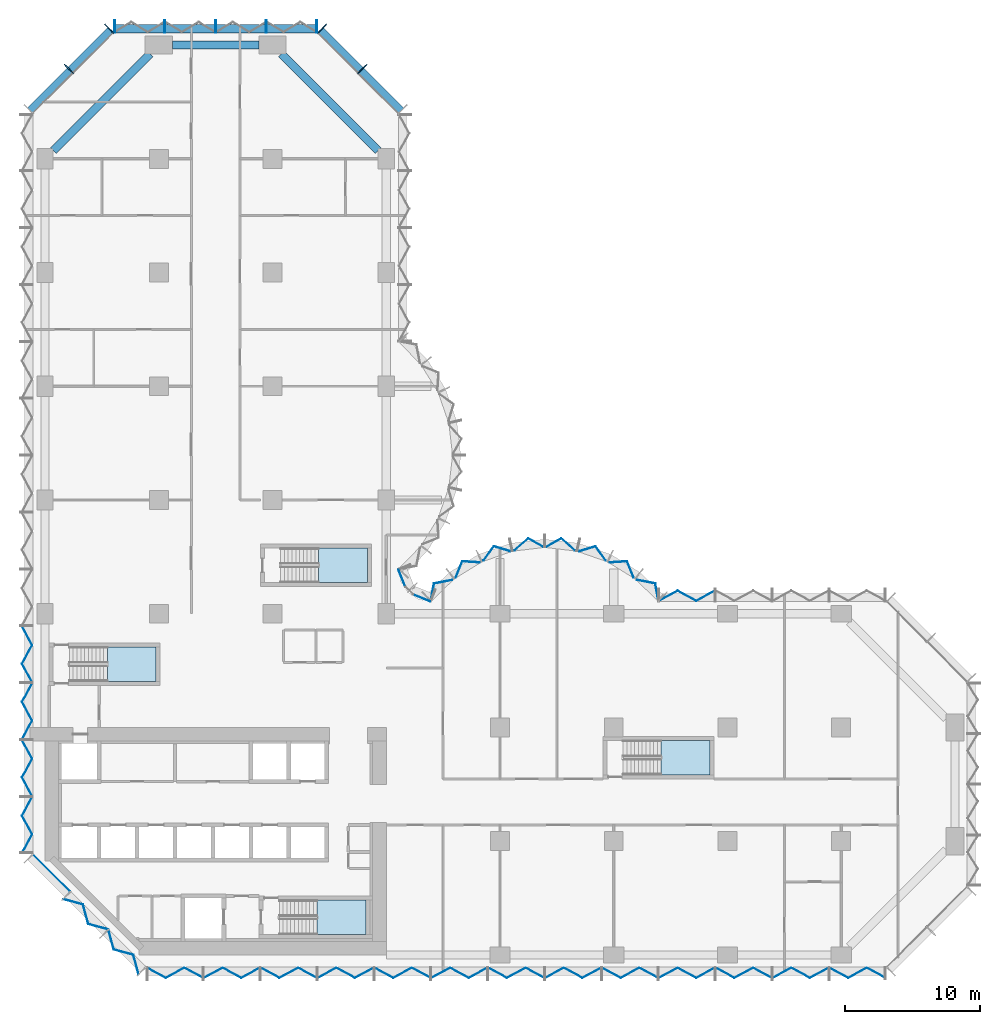
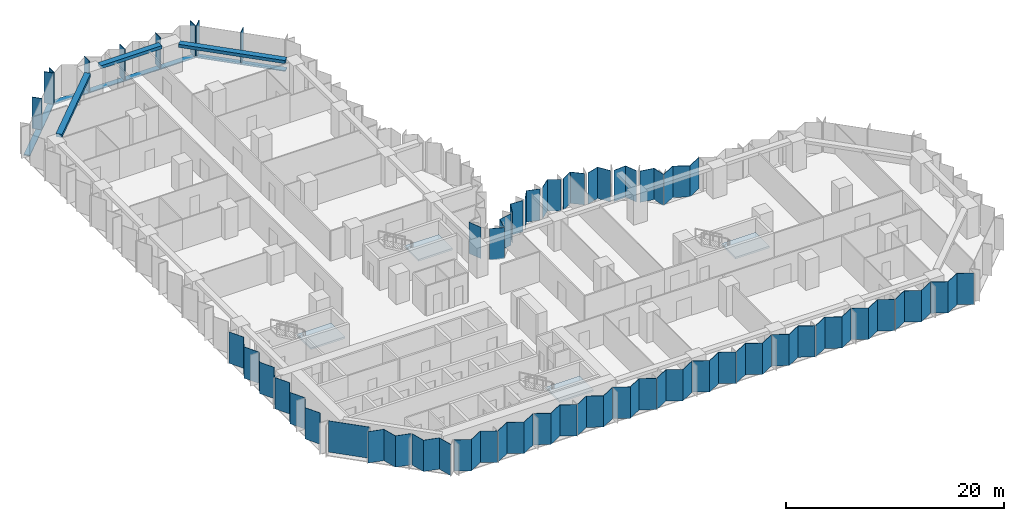
# One storey, part 5 of 15: 31 plates, 12 members, 4 slabs, 3 beams, 13 elements without a shape of their own.
"""IFC4 building model written with IfcOpenShell, lengths in metres."""

from ifc_helpers import new_model, si_unit, direction, frame, origin, origin_2d, place, context, subcontext, project, spatial, polyline, rectangle, outline, extrude, material, layer, layer_set, material_profile, profile_set, type_object, element, aggregate, save


model = new_model("IFC4")

# Units and contexts
model_context = context("Model", 3, precision=1e-05, world=origin(), true_north=direction((0.0, 1.0)))
body_context = subcontext(model_context, "Body", "Model", "MODEL_VIEW")
ifc_project = project(units=[si_unit("LENGTHUNIT", "METRE"), si_unit("AREAUNIT", "SQUARE_METRE"), si_unit("VOLUMEUNIT", "CUBIC_METRE"), si_unit("PLANEANGLEUNIT", "RADIAN"), si_unit("MASSUNIT", "GRAM", prefix="KILO")], contexts=[model_context])

# Site, building, storey
site_placement = place(None, origin())
site = spatial("IfcSite", under=ifc_project, at=site_placement, CompositionType="ELEMENT")
building_placement = place(site_placement, origin())
building = spatial("IfcBuilding", under=site, at=building_placement, Name="Brevane Broadcast Tower", CompositionType="ELEMENT")
storey_placement = place(building_placement, frame((0.0, 0.0, 61.699951171875)))
storey = spatial("IfcBuildingStorey", under=building, at=storey_placement, Name="L13", CompositionType="ELEMENT", Elevation=61.699951171875)

# Curtain wall, members
ifc_material_1 = material(Name="Aluminium 6063-T6 bronze anodised", Category="aluminium")
curtain_wall_type = type_object("IfcCurtainWallType", Name="CW-1 curtain wall", PredefinedType="NOTDEFINED", material=ifc_material_1)
curtain_wall_1_placement = place(storey_placement, origin())
curtain_wall_1 = element("IfcCurtainWall", 1, at=curtain_wall_1_placement, inside=storey, type_object=curtain_wall_type, Name="CW-1 typical tilted unit L13 north arm north-east chamfer", PredefinedType="NOTDEFINED")
ifc_material_profile_1 = material_profile(ifc_material_1, rectangle(XDim=0.949951171875, YDim=0.070068359375, at=origin_2d()), Name="RECT 70x950")
ifc_profile_set_1 = profile_set([ifc_material_profile_1], Name="Aluminium 6063-T6 bronze anodised")
member_type_1 = type_object("IfcMemberType", Name="CW-1 mullion 70x950", PredefinedType="MULLION", material=ifc_profile_set_1)
member_1_placement = place(storey_placement, frame((23.435791015625, 65.435791015625, -0.14990234375), z_axis=(0.0, 0.0, 1.0), x_axis=(-0.707106781187, -0.707106781187, 0.0)))
member_1 = element("IfcMember", 2, at=member_1_placement, type_object=member_type_1, Name="CW-1 mullion", PredefinedType="MULLION", context=body_context, shape_type="SweptSolid", body=[
    extrude(rectangle(XDim=0.949951171875, YDim=0.070068359375, at=origin_2d()), origin(), (0.0, 0.0, 1.0), 3.5),
])
member_2_placement = place(storey_placement, frame((20.460693359375, 68.4111328125, -0.14990234375), z_axis=(0.0, 0.0, 1.0), x_axis=(-0.707106781187, -0.707106781187, 0.0)))
member_2 = element("IfcMember", 3, at=member_2_placement, type_object=member_type_1, Name="CW-1 mullion", PredefinedType="MULLION", context=body_context, shape_type="SweptSolid", body=[
    extrude(rectangle(XDim=0.949951171875, YDim=0.070068359375, at=origin_2d()), origin(), (0.0, 0.0, 1.0), 3.5),
])

curtain_wall_2_placement = place(storey_placement, origin())
curtain_wall_2 = element("IfcCurtainWall", 4, at=curtain_wall_2_placement, inside=storey, type_object=curtain_wall_type, Name="CW-1 typical tilted unit L13 north end", PredefinedType="NOTDEFINED")
member_3_placement = place(storey_placement, frame((20.06494140625, 68.574951171875, -0.14990234375), z_axis=(0.0, 0.0, 1.0), x_axis=(0.0, -1.0, 0.0)))
member_3 = element("IfcMember", 5, at=member_3_placement, type_object=member_type_1, Name="CW-1 mullion", PredefinedType="MULLION", context=body_context, shape_type="SweptSolid", body=[
    extrude(rectangle(XDim=0.949951171875, YDim=0.070068359375, at=origin_2d()), origin(), (0.0, 0.0, 1.0), 3.5),
])
member_4_placement = place(storey_placement, frame((16.35009765625, 68.574951171875, -0.14990234375), z_axis=(0.0, 0.0, 1.0), x_axis=(0.0, -1.0, 0.0)))
member_4 = element("IfcMember", 6, at=member_4_placement, type_object=member_type_1, Name="CW-1 mullion", PredefinedType="MULLION", context=body_context, shape_type="SweptSolid", body=[
    extrude(rectangle(XDim=0.949951171875, YDim=0.070068359375, at=origin_2d()), origin(), (0.0, 0.0, 1.0), 3.5),
])
member_5_placement = place(storey_placement, frame((12.60009765625, 68.574951171875, -0.14990234375), z_axis=(0.0, 0.0, 1.0), x_axis=(0.0, -1.0, 0.0)))
member_5 = element("IfcMember", 7, at=member_5_placement, type_object=member_type_1, Name="CW-1 mullion", PredefinedType="MULLION", context=body_context, shape_type="SweptSolid", body=[
    extrude(rectangle(XDim=0.949951171875, YDim=0.070068359375, at=origin_2d()), origin(), (0.0, 0.0, 1.0), 3.5),
])
member_6_placement = place(storey_placement, frame((8.85009765625, 68.574951171875, -0.14990234375), z_axis=(0.0, 0.0, 1.0), x_axis=(0.0, -1.0, 0.0)))
member_6 = element("IfcMember", 8, at=member_6_placement, type_object=member_type_1, Name="CW-1 mullion", PredefinedType="MULLION", context=body_context, shape_type="SweptSolid", body=[
    extrude(rectangle(XDim=0.949951171875, YDim=0.070068359375, at=origin_2d()), origin(), (0.0, 0.0, 1.0), 3.5),
])
member_7_placement = place(storey_placement, frame((5.135009765625, 68.574951171875, -0.14990234375), z_axis=(0.0, 0.0, 1.0), x_axis=(0.0, -1.0, 0.0)))
member_7 = element("IfcMember", 9, at=member_7_placement, type_object=member_type_1, Name="CW-1 mullion", PredefinedType="MULLION", context=body_context, shape_type="SweptSolid", body=[
    extrude(rectangle(XDim=0.949951171875, YDim=0.070068359375, at=origin_2d()), origin(), (0.0, 0.0, 1.0), 3.5),
])

curtain_wall_3_placement = place(storey_placement, origin())
curtain_wall_3 = element("IfcCurtainWall", 10, at=curtain_wall_3_placement, inside=storey, type_object=curtain_wall_type, Name="CW-1 typical tilted unit L13 north-west chamfer", PredefinedType="NOTDEFINED")
member_8_placement = place(storey_placement, frame((4.7392578125, 68.4111328125, -0.14990234375), z_axis=(0.0, 0.0, 1.0), x_axis=(0.707106781187, -0.707106781187, 0.0)))
member_8 = element("IfcMember", 11, at=member_8_placement, type_object=member_type_1, Name="CW-1 mullion", PredefinedType="MULLION", context=body_context, shape_type="SweptSolid", body=[
    extrude(rectangle(XDim=0.949951171875, YDim=0.070068359375, at=origin_2d()), origin(), (0.0, 0.0, 1.0), 3.5),
])
member_9_placement = place(storey_placement, frame((1.76416015625, 65.435791015625, -0.14990234375), z_axis=(0.0, 0.0, 1.0), x_axis=(0.707106781187, -0.707106781187, 0.0)))
member_9 = element("IfcMember", 12, at=member_9_placement, type_object=member_type_1, Name="CW-1 mullion", PredefinedType="MULLION", context=body_context, shape_type="SweptSolid", body=[
    extrude(rectangle(XDim=0.949951171875, YDim=0.070068359375, at=origin_2d()), origin(), (0.0, 0.0, 1.0), 3.5),
])

# Member
ifc_material_profile_2 = material_profile(ifc_material_1, rectangle(XDim=0.60009765625, YDim=0.10009765625, at=origin_2d()), Name="RECT 100x600")
ifc_profile_set_2 = profile_set([ifc_material_profile_2], Name="Aluminium 6063-T6 bronze anodised")
member_type_2 = type_object("IfcMemberType", Name="CW-1 transom 100x600", PredefinedType="USERDEFINED", material=ifc_profile_set_2)
member_10_placement = place(storey_placement, frame((26.31201171875, 62.31201171875, -0.199951171875), z_axis=(-0.707106781187, 0.707106781187, 0.0), x_axis=(-0.707106781187, -0.707106781187, 0.0)))
member_10 = element("IfcMember", 13, at=member_10_placement, type_object=member_type_2, Name="CW-1 transom", ObjectType="TRANSOM", PredefinedType="USERDEFINED", context=body_context, shape_type="SweptSolid", body=[
    extrude(rectangle(XDim=0.60009765625, YDim=0.10009765625, at=origin_2d()), origin(), (0.0, 0.0, 1.0), 8.4853515625),
])

aggregate(curtain_wall_1, [member_1, member_2, member_10])

member_11_placement = place(storey_placement, frame((20.10009765625, 68.39990234375, -0.199951171875), z_axis=(-1.0, 0.0, 0.0), x_axis=(0.0, -1.0, 0.0)))
member_11 = element("IfcMember", 14, at=member_11_placement, type_object=member_type_2, Name="CW-1 transom", ObjectType="TRANSOM", PredefinedType="USERDEFINED", context=body_context, shape_type="SweptSolid", body=[
    extrude(rectangle(XDim=0.60009765625, YDim=0.10009765625, at=origin_2d()), origin(), (0.0, 0.0, 1.0), 15.0),
])

aggregate(curtain_wall_2, [member_3, member_4, member_5, member_6, member_7, member_11])

member_12_placement = place(storey_placement, frame((4.887939453125, 68.31201171875, -0.199951171875), z_axis=(-0.707106781187, -0.707106781187, 0.0), x_axis=(0.707106781187, -0.707106781187, 0.0)))
member_12 = element("IfcMember", 15, at=member_12_placement, type_object=member_type_2, Name="CW-1 transom", ObjectType="TRANSOM", PredefinedType="USERDEFINED", context=body_context, shape_type="SweptSolid", body=[
    extrude(rectangle(XDim=0.60009765625, YDim=0.10009765625, at=origin_2d()), origin(), (0.0, 0.0, 1.0), 8.4853515625),
])

aggregate(curtain_wall_3, [member_8, member_9, member_12])

# Beams
ifc_material_2 = material(Name="Concrete C40/50", Category="concrete")
ifc_material_profile_3 = material_profile(ifc_material_2, rectangle(XDim=0.60009765625, YDim=0.35009765625, at=origin_2d()), Name="RC 600x350")
ifc_profile_set_3 = profile_set([ifc_material_profile_3], Name="Concrete C40/50")
beam_type = type_object("IfcBeamType", Name="RC SPANDREL BEAM 600x350 C40/50", PredefinedType="SPANDREL", material=ifc_profile_set_3)
beam_1_placement = place(storey_placement, frame((24.60009765625, 59.39990234375, 3.175048828125), z_axis=(-0.707106781187, 0.707106781187, 0.0), x_axis=(-0.707106781187, -0.707106781187, 0.0)))
element("IfcBeam", 16, at=beam_1_placement, inside=storey, type_object=beam_type, Name="EB1 L13-16", PredefinedType="SPANDREL", context=body_context, shape_type="SweptSolid", body=[
    extrude(rectangle(XDim=0.60009765625, YDim=0.35009765625, at=origin_2d()), origin(), (0.0, 0.0, 1.0), 10.11181640625),
])
beam_2_placement = place(storey_placement, frame((15.800048828125, 67.199951171875, 3.175048828125), z_axis=(-1.0, 0.0, 0.0), x_axis=(0.0, -1.0, 0.0)))
element("IfcBeam", 17, at=beam_2_placement, inside=storey, type_object=beam_type, Name="EB1 L13-17", PredefinedType="SPANDREL", context=body_context, shape_type="SweptSolid", body=[
    extrude(rectangle(XDim=0.60009765625, YDim=0.35009765625, at=origin_2d()), origin(), (0.0, 0.0, 1.0), 6.400146484375),
])
beam_3_placement = place(storey_placement, frame((7.75, 66.550048828125, 3.175048828125), z_axis=(-0.707094708853, -0.707118853314, 0.0), x_axis=(0.707118853314, -0.707094708853, 0.0)))
element("IfcBeam", 18, at=beam_3_placement, inside=storey, type_object=beam_type, Name="EB1 L13-18", PredefinedType="SPANDREL", context=body_context, shape_type="SweptSolid", body=[
    extrude(rectangle(XDim=0.60009765625, YDim=0.35009765625, at=origin_2d()), origin(), (0.0, 0.0, 1.0), 10.111572265625),
])

# Curtain wall, plates
curtain_wall_4_placement = place(storey_placement, origin())
curtain_wall_4 = element("IfcCurtainWall", 19, at=curtain_wall_4_placement, inside=storey, type_object=curtain_wall_type, Name="CW-1 typical tilted unit L13 south face", PredefinedType="NOTDEFINED")
ifc_material_3 = material(Name="Laminated glass bronze-tinted", Category="glass")
ifc_layer_1 = layer(ifc_material_3, 0.0400390625)
ifc_layer_set_1 = layer_set([ifc_layer_1], Name="CW tall glass panel 40")
plate_type = type_object("IfcPlateType", Name="CW tall glass panel 40", PredefinedType="CURTAIN_PANEL", material=ifc_layer_set_1)
plate_1_placement = place(storey_placement, frame((0.0, 0.0, -0.14990234375)))
plate_1 = element("IfcPlate", 20, at=plate_1_placement, type_object=plate_type, Name="CW-1 glass panel", PredefinedType="CURTAIN_PANEL", context=body_context, shape_type="SweptSolid", body=[
    extrude(outline(polyline([(7.534912109375, -0.92724609375), (7.534912109375, -0.97265625), (8.91162109375, -1.717041015625), (10.288330078125, -0.97265625), (11.6650390625, -1.717041015625), (11.6650390625, -1.671630859375), (10.288330078125, -0.92724609375), (8.91162109375, -1.671630859375), (7.534912109375, -0.92724609375)])), origin(), (0.0, 0.0, 1.0), 3.5),
])
plate_2_placement = place(storey_placement, frame((0.0, 0.0, -0.14990234375)))
plate_2 = element("IfcPlate", 21, at=plate_2_placement, type_object=plate_type, Name="CW-1 glass panel", PredefinedType="CURTAIN_PANEL", context=body_context, shape_type="SweptSolid", body=[
    extrude(outline(polyline([(11.735107421875, -1.671630859375), (11.735107421875, -1.717041015625), (13.11181640625, -0.97265625), (14.48828125, -1.717041015625), (15.864990234375, -0.97265625), (15.864990234375, -0.92724609375), (14.48828125, -1.671630859375), (13.11181640625, -0.92724609375), (11.735107421875, -1.671630859375)])), origin(), (0.0, 0.0, 1.0), 3.5),
])
plate_3_placement = place(storey_placement, frame((0.0, 0.0, -0.14990234375)))
plate_3 = element("IfcPlate", 22, at=plate_3_placement, type_object=plate_type, Name="CW-1 glass panel", PredefinedType="CURTAIN_PANEL", context=body_context, shape_type="SweptSolid", body=[
    extrude(outline(polyline([(15.93505859375, -0.92724609375), (15.93505859375, -0.97265625), (17.311767578125, -1.717041015625), (18.688232421875, -0.97265625), (20.06494140625, -1.717041015625), (20.06494140625, -1.671630859375), (18.688232421875, -0.92724609375), (17.311767578125, -1.671630859375), (15.93505859375, -0.92724609375)])), origin(), (0.0, 0.0, 1.0), 3.5),
])
plate_4_placement = place(storey_placement, frame((0.0, 0.0, -0.14990234375)))
plate_4 = element("IfcPlate", 23, at=plate_4_placement, type_object=plate_type, Name="CW-1 glass panel", PredefinedType="CURTAIN_PANEL", context=body_context, shape_type="SweptSolid", body=[
    extrude(outline(polyline([(20.135009765625, -1.671630859375), (20.135009765625, -1.717041015625), (21.51171875, -0.97265625), (22.88818359375, -1.717041015625), (24.264892578125, -0.97265625), (24.264892578125, -0.92724609375), (22.88818359375, -1.671630859375), (21.51171875, -0.92724609375), (20.135009765625, -1.671630859375)])), origin(), (0.0, 0.0, 1.0), 3.5),
])
plate_5_placement = place(storey_placement, frame((0.0, 0.0, -0.14990234375)))
plate_5 = element("IfcPlate", 24, at=plate_5_placement, type_object=plate_type, Name="CW-1 glass panel", PredefinedType="CURTAIN_PANEL", context=body_context, shape_type="SweptSolid", body=[
    extrude(outline(polyline([(24.3349609375, -0.92724609375), (24.3349609375, -0.97265625), (25.711669921875, -1.717041015625), (27.08837890625, -0.97265625), (28.465087890625, -1.717041015625), (28.465087890625, -1.671630859375), (27.08837890625, -0.92724609375), (25.711669921875, -1.671630859375), (24.3349609375, -0.92724609375)])), origin(), (0.0, 0.0, 1.0), 3.5),
])
plate_6_placement = place(storey_placement, frame((0.0, 0.0, -0.14990234375)))
plate_6 = element("IfcPlate", 25, at=plate_6_placement, type_object=plate_type, Name="CW-1 glass panel", PredefinedType="CURTAIN_PANEL", context=body_context, shape_type="SweptSolid", body=[
    extrude(outline(polyline([(28.534912109375, -1.671630859375), (28.534912109375, -1.717041015625), (29.91162109375, -0.97265625), (31.288330078125, -1.717041015625), (32.6650390625, -0.97265625), (32.6650390625, -0.92724609375), (31.288330078125, -1.671630859375), (29.91162109375, -0.92724609375), (28.534912109375, -1.671630859375)])), origin(), (0.0, 0.0, 1.0), 3.5),
])
plate_7_placement = place(storey_placement, frame((0.0, 0.0, -0.14990234375)))
plate_7 = element("IfcPlate", 26, at=plate_7_placement, type_object=plate_type, Name="CW-1 glass panel", PredefinedType="CURTAIN_PANEL", context=body_context, shape_type="SweptSolid", body=[
    extrude(outline(polyline([(32.735107421875, -0.92724609375), (32.735107421875, -0.97265625), (34.11181640625, -1.717041015625), (35.48828125, -0.97265625), (36.864990234375, -1.717041015625), (36.864990234375, -1.671630859375), (35.48828125, -0.92724609375), (34.11181640625, -1.671630859375), (32.735107421875, -0.92724609375)])), origin(), (0.0, 0.0, 1.0), 3.5),
])
plate_8_placement = place(storey_placement, frame((0.0, 0.0, -0.14990234375)))
plate_8 = element("IfcPlate", 27, at=plate_8_placement, type_object=plate_type, Name="CW-1 glass panel", PredefinedType="CURTAIN_PANEL", context=body_context, shape_type="SweptSolid", body=[
    extrude(outline(polyline([(36.93505859375, -1.671630859375), (36.93505859375, -1.717041015625), (38.311767578125, -0.97265625), (39.688232421875, -1.717041015625), (41.06494140625, -0.97265625), (41.06494140625, -0.92724609375), (39.688232421875, -1.671630859375), (38.311767578125, -0.92724609375), (36.93505859375, -1.671630859375)])), origin(), (0.0, 0.0, 1.0), 3.5),
])
plate_9_placement = place(storey_placement, frame((0.0, 0.0, -0.14990234375)))
plate_9 = element("IfcPlate", 28, at=plate_9_placement, type_object=plate_type, Name="CW-1 glass panel", PredefinedType="CURTAIN_PANEL", context=body_context, shape_type="SweptSolid", body=[
    extrude(outline(polyline([(41.135009765625, -0.92724609375), (41.135009765625, -0.97265625), (42.51171875, -1.717041015625), (43.88818359375, -0.97265625), (45.264892578125, -1.717041015625), (45.264892578125, -1.671630859375), (43.88818359375, -0.92724609375), (42.51171875, -1.671630859375), (41.135009765625, -0.92724609375)])), origin(), (0.0, 0.0, 1.0), 3.5),
])
plate_10_placement = place(storey_placement, frame((0.0, 0.0, -0.14990234375)))
plate_10 = element("IfcPlate", 29, at=plate_10_placement, type_object=plate_type, Name="CW-1 glass panel", PredefinedType="CURTAIN_PANEL", context=body_context, shape_type="SweptSolid", body=[
    extrude(outline(polyline([(45.3349609375, -1.671630859375), (45.3349609375, -1.717041015625), (46.711669921875, -0.97265625), (48.08837890625, -1.717041015625), (49.465087890625, -0.97265625), (49.465087890625, -0.92724609375), (48.08837890625, -1.671630859375), (46.711669921875, -0.92724609375), (45.3349609375, -1.671630859375)])), origin(), (0.0, 0.0, 1.0), 3.5),
])
plate_11_placement = place(storey_placement, frame((0.0, 0.0, -0.14990234375)))
plate_11 = element("IfcPlate", 30, at=plate_11_placement, type_object=plate_type, Name="CW-1 glass panel", PredefinedType="CURTAIN_PANEL", context=body_context, shape_type="SweptSolid", body=[
    extrude(outline(polyline([(49.534912109375, -0.92724609375), (49.534912109375, -0.97265625), (50.91162109375, -1.717041015625), (52.288330078125, -0.97265625), (53.6650390625, -1.717041015625), (53.6650390625, -1.671630859375), (52.288330078125, -0.92724609375), (50.91162109375, -1.671630859375), (49.534912109375, -0.92724609375)])), origin(), (0.0, 0.0, 1.0), 3.5),
])
plate_12_placement = place(storey_placement, frame((0.0, 0.0, -0.14990234375)))
plate_12 = element("IfcPlate", 31, at=plate_12_placement, type_object=plate_type, Name="CW-1 glass panel", PredefinedType="CURTAIN_PANEL", context=body_context, shape_type="SweptSolid", body=[
    extrude(outline(polyline([(53.735107421875, -1.671630859375), (53.735107421875, -1.717041015625), (55.11181640625, -0.97265625), (56.48828125, -1.717041015625), (57.864990234375, -0.97265625), (57.864990234375, -0.92724609375), (56.48828125, -1.671630859375), (55.11181640625, -0.92724609375), (53.735107421875, -1.671630859375)])), origin(), (0.0, 0.0, 1.0), 3.5),
])
plate_13_placement = place(storey_placement, frame((0.0, 0.0, -0.14990234375)))
plate_13 = element("IfcPlate", 32, at=plate_13_placement, type_object=plate_type, Name="CW-1 glass panel", PredefinedType="CURTAIN_PANEL", context=body_context, shape_type="SweptSolid", body=[
    extrude(outline(polyline([(57.93505859375, -0.92724609375), (57.93505859375, -0.97265625), (59.311767578125, -1.717041015625), (60.688232421875, -0.97265625), (62.06494140625, -1.717041015625), (62.06494140625, -1.671630859375), (60.688232421875, -0.92724609375), (59.311767578125, -1.671630859375), (57.93505859375, -0.92724609375)])), origin(), (0.0, 0.0, 1.0), 3.5),
])
aggregate(curtain_wall_4, [plate_1, plate_2, plate_3, plate_4, plate_5, plate_6, plate_7, plate_8, plate_9, plate_10, plate_11, plate_12, plate_13])

# Curtain wall, plate
curtain_wall_5_placement = place(storey_placement, origin())
curtain_wall_5 = element("IfcCurtainWall", 33, at=curtain_wall_5_placement, inside=storey, type_object=curtain_wall_type, Name="CW-1 typical tilted unit L13 east arm north face", PredefinedType="NOTDEFINED")
plate_14_placement = place(storey_placement, frame((0.0, 0.0, -0.14990234375)))
plate_14 = element("IfcPlate", 34, at=plate_14_placement, type_object=plate_type, Name="CW-1 glass panel", PredefinedType="CURTAIN_PANEL", context=body_context, shape_type="SweptSolid", body=[
    extrude(outline(polyline([(49.465087890625, 26.87158203125), (49.465087890625, 26.9169921875), (48.08837890625, 26.172607421875), (46.711669921875, 26.9169921875), (45.3349609375, 26.172607421875), (45.3349609375, 26.127197265625), (46.711669921875, 26.87158203125), (48.08837890625, 26.127197265625), (49.465087890625, 26.87158203125)])), origin(), (0.0, 0.0, 1.0), 3.5),
])
aggregate(curtain_wall_5, [plate_14])

# Curtain wall, plates
curtain_wall_6_placement = place(storey_placement, origin())
curtain_wall_6 = element("IfcCurtainWall", 35, at=curtain_wall_6_placement, inside=storey, type_object=curtain_wall_type, Name="CW-1 typical tilted unit L13 east bow", PredefinedType="NOTDEFINED")
plate_15_placement = place(storey_placement, frame((0.0, 0.0, -0.14990234375)))
plate_15 = element("IfcPlate", 36, at=plate_15_placement, type_object=plate_type, Name="CW-1 glass panel", PredefinedType="CURTAIN_PANEL", context=body_context, shape_type="SweptSolid", body=[
    extrude(outline(polyline([(45.2939453125, 26.14404296875), (45.327880859375, 26.17919921875), (45.086181640625, 27.447265625), (43.738525390625, 27.71142578125), (43.7109375, 27.67626953125), (45.052001953125, 27.4130859375), (45.2939453125, 26.14404296875)])), origin(), (0.0, 0.0, 1.0), 3.5),
])
plate_16_placement = place(storey_placement, frame((0.0, 0.0, -0.14990234375)))
plate_16 = element("IfcPlate", 37, at=plate_16_placement, type_object=plate_type, Name="CW-1 glass panel", PredefinedType="CURTAIN_PANEL", context=body_context, shape_type="SweptSolid", body=[
    extrude(outline(polyline([(43.45703125, 27.8759765625), (43.4853515625, 27.912109375), (43.00390625, 29.089111328125), (41.710693359375, 29.006591796875), (41.69091796875, 28.96533203125), (42.977783203125, 29.04736328125), (43.45703125, 27.8759765625)])), origin(), (0.0, 0.0, 1.0), 3.5),
])
plate_17_placement = place(storey_placement, frame((0.0, 0.0, -0.14990234375)))
plate_17 = element("IfcPlate", 38, at=plate_17_placement, type_object=plate_type, Name="CW-1 glass panel", PredefinedType="CURTAIN_PANEL", context=body_context, shape_type="SweptSolid", body=[
    extrude(outline(polyline([(41.3994140625, 29.104248046875), (41.4189453125, 29.1455078125), (40.667724609375, 30.20166015625), (39.45068359375, 29.83349609375), (39.440185546875, 29.78857421875), (40.65185546875, 30.155029296875), (41.3994140625, 29.104248046875)])), origin(), (0.0, 0.0, 1.0), 3.5),
])
plate_18_placement = place(storey_placement, frame((0.0, 0.0, -0.14990234375)))
plate_18 = element("IfcPlate", 39, at=plate_18_placement, type_object=plate_type, Name="CW-1 glass panel", PredefinedType="CURTAIN_PANEL", context=body_context, shape_type="SweptSolid", body=[
    extrude(outline(polyline([(39.125, 29.859619140625), (39.13525390625, 29.903564453125), (38.116943359375, 30.779296875), (37.008056640625, 30.15869140625), (37.008056640625, 30.11279296875), (38.112060546875, 30.730712890625), (39.125, 29.859619140625)])), origin(), (0.0, 0.0, 1.0), 3.5),
])
plate_19_placement = place(storey_placement, frame((0.0, 0.0, -0.14990234375)))
plate_19 = element("IfcPlate", 40, at=plate_19_placement, type_object=plate_type, Name="CW-1 glass panel", PredefinedType="CURTAIN_PANEL", context=body_context, shape_type="SweptSolid", body=[
    extrude(outline(polyline([(36.7919921875, 30.11279296875), (36.7919921875, 30.15869140625), (35.68310546875, 30.779296875), (34.664794921875, 29.903564453125), (34.6748046875, 29.859619140625), (35.68798828125, 30.730712890625), (36.7919921875, 30.11279296875)])), origin(), (0.0, 0.0, 1.0), 3.5),
])
plate_20_placement = place(storey_placement, frame((0.0, 0.0, -0.14990234375)))
plate_20 = element("IfcPlate", 41, at=plate_20_placement, type_object=plate_type, Name="CW-1 glass panel", PredefinedType="CURTAIN_PANEL", context=body_context, shape_type="SweptSolid", body=[
    extrude(outline(polyline([(34.359619140625, 29.78857421875), (34.349365234375, 29.83349609375), (33.132080078125, 30.20166015625), (32.381103515625, 29.1455078125), (32.400634765625, 29.104248046875), (33.148193359375, 30.155029296875), (34.359619140625, 29.78857421875)])), origin(), (0.0, 0.0, 1.0), 3.5),
])
plate_21_placement = place(storey_placement, frame((0.0, 0.0, -0.14990234375)))
plate_21 = element("IfcPlate", 42, at=plate_21_placement, type_object=plate_type, Name="CW-1 glass panel", PredefinedType="CURTAIN_PANEL", context=body_context, shape_type="SweptSolid", body=[
    extrude(outline(polyline([(32.10888671875, 28.96533203125), (32.08935546875, 29.006591796875), (30.7958984375, 29.089111328125), (30.314697265625, 27.912109375), (30.343017578125, 27.8759765625), (30.822265625, 29.04736328125), (32.10888671875, 28.96533203125)])), origin(), (0.0, 0.0, 1.0), 3.5),
])
plate_22_placement = place(storey_placement, frame((0.0, 0.0, -0.14990234375)))
plate_22 = element("IfcPlate", 43, at=plate_22_placement, type_object=plate_type, Name="CW-1 glass panel", PredefinedType="CURTAIN_PANEL", context=body_context, shape_type="SweptSolid", body=[
    extrude(outline(polyline([(30.089111328125, 27.67626953125), (30.0615234375, 27.71142578125), (28.7138671875, 27.447265625), (28.471923828125, 26.17919921875), (28.506103515625, 26.14404296875), (28.748046875, 27.4130859375), (30.089111328125, 27.67626953125)])), origin(), (0.0, 0.0, 1.0), 3.5),
])
aggregate(curtain_wall_6, [plate_15, plate_16, plate_17, plate_18, plate_19, plate_20, plate_21, plate_22])

curtain_wall_7_placement = place(storey_placement, origin())
curtain_wall_7 = element("IfcCurtainWall", 44, at=curtain_wall_7_placement, inside=storey, type_object=curtain_wall_type, Name="CW-1 typical tilted unit L13 inner corner", PredefinedType="NOTDEFINED")
plate_23_placement = place(storey_placement, frame((0.0, 0.0, -0.14990234375)))
plate_23 = element("IfcPlate", 45, at=plate_23_placement, type_object=plate_type, Name="CW-1 glass panel", PredefinedType="CURTAIN_PANEL", context=body_context, shape_type="SweptSolid", body=[
    extrude(outline(polyline([(28.45166015625, 26.07470703125), (28.466796875, 26.111572265625), (27.2021484375, 26.635498046875), (27.17138671875, 26.60498046875), (28.45166015625, 26.07470703125)])), origin(), (0.0, 0.0, 1.0), 3.5),
])
plate_24_placement = place(storey_placement, frame((0.0, 0.0, -0.14990234375)))
plate_24 = element("IfcPlate", 46, at=plate_24_placement, type_object=plate_type, Name="CW-1 glass panel", PredefinedType="CURTAIN_PANEL", context=body_context, shape_type="SweptSolid", body=[
    extrude(outline(polyline([(26.60498046875, 27.17138671875), (26.635498046875, 27.2021484375), (26.111572265625, 28.466796875), (26.07470703125, 28.45166015625), (26.60498046875, 27.17138671875)])), origin(), (0.0, 0.0, 1.0), 3.5),
])
aggregate(curtain_wall_7, [plate_23, plate_24])

curtain_wall_8_placement = place(storey_placement, origin())
curtain_wall_8 = element("IfcCurtainWall", 47, at=curtain_wall_8_placement, inside=storey, type_object=curtain_wall_type, Name="CW-1 typical tilted unit L13 west face", PredefinedType="NOTDEFINED")
plate_25_placement = place(storey_placement, frame((0.0, 0.0, -0.14990234375)))
plate_25 = element("IfcPlate", 48, at=plate_25_placement, type_object=plate_type, Name="CW-1 glass panel", PredefinedType="CURTAIN_PANEL", context=body_context, shape_type="SweptSolid", body=[
    extrude(outline(polyline([(-1.671630859375, 24.264892578125), (-1.717041015625, 24.264892578125), (-0.97265625, 22.88818359375), (-1.717041015625, 21.51171875), (-0.97265625, 20.135009765625), (-0.92724609375, 20.135009765625), (-1.671630859375, 21.51171875), (-0.92724609375, 22.88818359375), (-1.671630859375, 24.264892578125)])), origin(), (0.0, 0.0, 1.0), 3.5),
])
plate_26_placement = place(storey_placement, frame((0.0, 0.0, -0.14990234375)))
plate_26 = element("IfcPlate", 49, at=plate_26_placement, type_object=plate_type, Name="CW-1 glass panel", PredefinedType="CURTAIN_PANEL", context=body_context, shape_type="SweptSolid", body=[
    extrude(outline(polyline([(-0.92724609375, 20.06494140625), (-0.97265625, 20.06494140625), (-1.717041015625, 18.688232421875), (-0.97265625, 17.311767578125), (-1.717041015625, 15.93505859375), (-1.671630859375, 15.93505859375), (-0.92724609375, 17.311767578125), (-1.671630859375, 18.688232421875), (-0.92724609375, 20.06494140625)])), origin(), (0.0, 0.0, 1.0), 3.5),
])
plate_27_placement = place(storey_placement, frame((0.0, 0.0, -0.14990234375)))
plate_27 = element("IfcPlate", 50, at=plate_27_placement, type_object=plate_type, Name="CW-1 glass panel", PredefinedType="CURTAIN_PANEL", context=body_context, shape_type="SweptSolid", body=[
    extrude(outline(polyline([(-1.671630859375, 15.864990234375), (-1.717041015625, 15.864990234375), (-0.97265625, 14.48828125), (-1.717041015625, 13.11181640625), (-0.97265625, 11.735107421875), (-0.92724609375, 11.735107421875), (-1.671630859375, 13.11181640625), (-0.92724609375, 14.48828125), (-1.671630859375, 15.864990234375)])), origin(), (0.0, 0.0, 1.0), 3.5),
])
plate_28_placement = place(storey_placement, frame((0.0, 0.0, -0.14990234375)))
plate_28 = element("IfcPlate", 51, at=plate_28_placement, type_object=plate_type, Name="CW-1 glass panel", PredefinedType="CURTAIN_PANEL", context=body_context, shape_type="SweptSolid", body=[
    extrude(outline(polyline([(-0.92724609375, 11.6650390625), (-0.97265625, 11.6650390625), (-1.717041015625, 10.288330078125), (-0.97265625, 8.91162109375), (-1.717041015625, 7.534912109375), (-1.671630859375, 7.534912109375), (-0.92724609375, 8.91162109375), (-1.671630859375, 10.288330078125), (-0.92724609375, 11.6650390625)])), origin(), (0.0, 0.0, 1.0), 3.5),
])
aggregate(curtain_wall_8, [plate_25, plate_26, plate_27, plate_28])

curtain_wall_9_placement = place(storey_placement, origin())
curtain_wall_9 = element("IfcCurtainWall", 52, at=curtain_wall_9_placement, inside=storey, type_object=curtain_wall_type, Name="CW-1 typical tilted unit L13 south-west chamfer", PredefinedType="NOTDEFINED")
plate_29_placement = place(storey_placement, frame((0.0, 0.0, -0.14990234375)))
plate_29 = element("IfcPlate", 53, at=plate_29_placement, type_object=plate_type, Name="CW-1 glass panel", PredefinedType="CURTAIN_PANEL", context=body_context, shape_type="SweptSolid", body=[
    extrude(outline(polyline([(-0.896484375, 7.4541015625), (1.85400390625, 4.70361328125), (1.82568359375, 4.67529296875), (-0.9248046875, 7.42578125), (-0.896484375, 7.4541015625)])), origin(), (0.0, 0.0, 1.0), 3.5),
])
plate_30_placement = place(storey_placement, frame((0.0, 0.0, -0.14990234375)))
plate_30 = element("IfcPlate", 54, at=plate_30_placement, type_object=plate_type, Name="CW-1 glass panel", PredefinedType="CURTAIN_PANEL", context=body_context, shape_type="SweptSolid", body=[
    extrude(outline(polyline([(1.37939453125, 4.1298828125), (1.3466796875, 4.09716796875), (2.789794921875, 3.706787109375), (3.180419921875, 2.263671875), (4.62353515625, 1.873046875), (4.65625, 1.90576171875), (3.212890625, 2.296142578125), (2.822509765625, 3.739501953125), (1.37939453125, 4.1298828125)])), origin(), (0.0, 0.0, 1.0), 3.5),
])
plate_31_placement = place(storey_placement, frame((0.0, 0.0, -0.14990234375)))
plate_31 = element("IfcPlate", 55, at=plate_31_placement, type_object=plate_type, Name="CW-1 glass panel", PredefinedType="CURTAIN_PANEL", context=body_context, shape_type="SweptSolid", body=[
    extrude(outline(polyline([(4.705810546875, 1.856201171875), (4.673095703125, 1.823486328125), (5.063720703125, 0.38037109375), (6.5068359375, -0.010009765625), (6.897216796875, -1.453369140625), (6.9296875, -1.420654296875), (6.539306640625, 0.0224609375), (5.09619140625, 0.4130859375), (4.705810546875, 1.856201171875)])), origin(), (0.0, 0.0, 1.0), 3.5),
])
aggregate(curtain_wall_9, [plate_29, plate_30, plate_31])

# Stair, slab
ifc_material_4 = material(Name="Concrete C50/60", Category="concrete")
stair_type = type_object("IfcStairType", Name="Exit stair 22 risers", PredefinedType="HALF_TURN_STAIR", material=ifc_material_4)
stair_1_placement = place(storey_placement, origin())
stair_1 = element("IfcStair", 56, at=stair_1_placement, inside=storey, type_object=stair_type, Name="L13 Exit stair ST-1", PredefinedType="HALF_TURN_STAIR")
ifc_layer_2 = layer(ifc_material_4, 0.199951171875)
ifc_layer_set_2 = layer_set([ifc_layer_2], Name="Exit stair landing")
slab_type = type_object("IfcSlabType", Name="Exit stair landing", PredefinedType="LANDING", material=ifc_layer_set_2)
slab_1_placement = place(storey_placement, frame((0.0, 0.0, 1.60009765625)))
slab_1 = element("IfcSlab", 57, at=slab_1_placement, type_object=slab_type, Name="ST-1 landing 1", PredefinedType="LANDING", context=body_context, shape_type="SweptSolid", body=[
    extrude(outline(polyline([(4.60009765625, 20.199951171875), (8.199951171875, 20.199951171875), (8.199951171875, 22.75), (4.60009765625, 22.75), (4.60009765625, 20.199951171875)])), origin(), (0.0, 0.0, 1.0), 0.199951171875),
])
aggregate(stair_1, [slab_1])

stair_2_placement = place(storey_placement, origin())
stair_2 = element("IfcStair", 58, at=stair_2_placement, inside=storey, type_object=stair_type, Name="L13 Exit stair ST-2", PredefinedType="HALF_TURN_STAIR")
slab_2_placement = place(storey_placement, frame((0.0, 0.0, 1.60009765625)))
slab_2 = element("IfcSlab", 59, at=slab_2_placement, type_object=slab_type, Name="ST-2 landing 1", PredefinedType="LANDING", context=body_context, shape_type="SweptSolid", body=[
    extrude(outline(polyline([(20.10009765625, 1.5), (23.699951171875, 1.5), (23.699951171875, 4.050048828125), (20.10009765625, 4.050048828125), (20.10009765625, 1.5)])), origin(), (0.0, 0.0, 1.0), 0.199951171875),
])
aggregate(stair_2, [slab_2])

stair_3_placement = place(storey_placement, origin())
stair_3 = element("IfcStair", 60, at=stair_3_placement, inside=storey, type_object=stair_type, Name="L13 Exit stair ST-3", PredefinedType="HALF_TURN_STAIR")
slab_3_placement = place(storey_placement, frame((0.0, 0.0, 1.60009765625)))
slab_3 = element("IfcSlab", 61, at=slab_3_placement, type_object=slab_type, Name="ST-3 landing 1", PredefinedType="LANDING", context=body_context, shape_type="SweptSolid", body=[
    extrude(outline(polyline([(20.199951171875, 27.5), (23.800048828125, 27.5), (23.800048828125, 30.050048828125), (20.199951171875, 30.050048828125), (20.199951171875, 27.5)])), origin(), (0.0, 0.0, 1.0), 0.199951171875),
])
aggregate(stair_3, [slab_3])

stair_4_placement = place(storey_placement, origin())
stair_4 = element("IfcStair", 62, at=stair_4_placement, inside=storey, type_object=stair_type, Name="L13 Exit stair ST-4", PredefinedType="HALF_TURN_STAIR")
slab_4_placement = place(storey_placement, frame((0.0, 0.0, 1.60009765625)))
slab_4 = element("IfcSlab", 63, at=slab_4_placement, type_object=slab_type, Name="ST-4 landing 1", PredefinedType="LANDING", context=body_context, shape_type="SweptSolid", body=[
    extrude(outline(polyline([(45.5, 13.300048828125), (49.10009765625, 13.300048828125), (49.10009765625, 15.85009765625), (45.5, 15.85009765625), (45.5, 13.300048828125)])), origin(), (0.0, 0.0, 1.0), 0.199951171875),
])
aggregate(stair_4, [slab_4])

save(model, "model.ifc")
